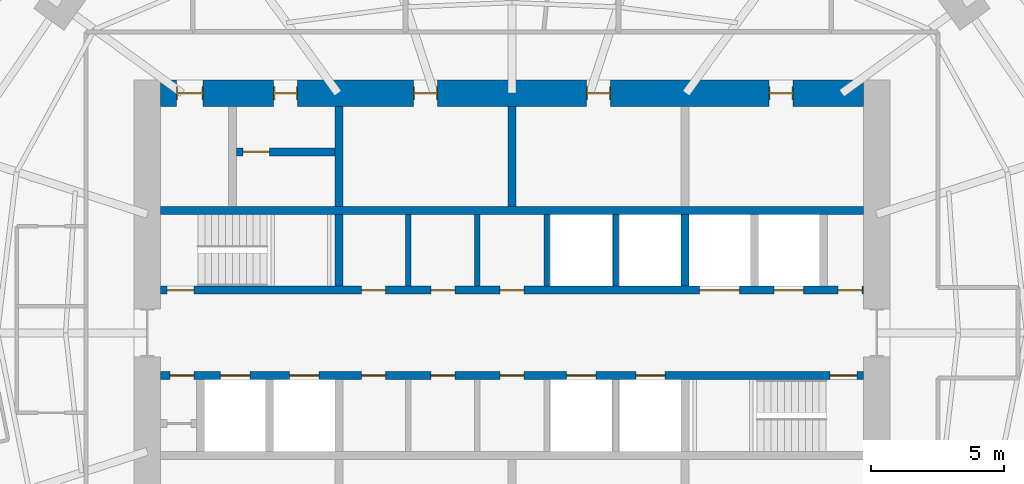
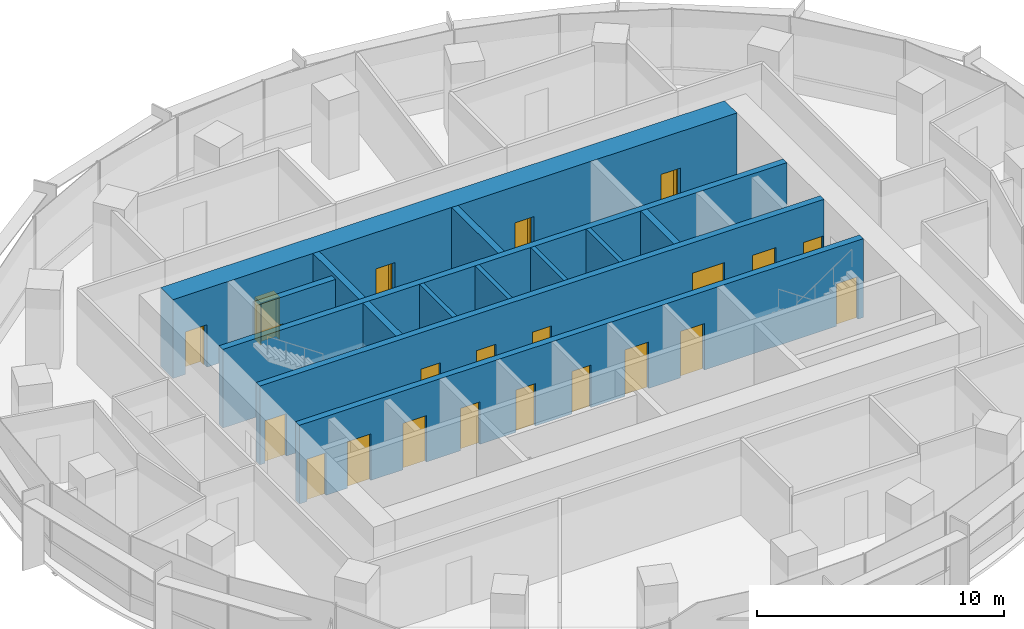
# One storey, part 11 of 14: 22 doors, 13 walls, 22 openings.
"""IFC4 building model written with IfcOpenShell, lengths in metres."""

import ifcopenshell
import ifcopenshell.guid

model = None  # the IFC model being written
_history = None  # IfcOwnerHistory: only IFC2X3 demands one
_inside = {}  # id of a spatial element -> (the spatial element, [elements in it])
_under = {}  # id of a project, library or spatial element -> (it, [spatial elements below it])
_declared = {}  # id of a project -> (the project, [libraries it declares])
_typed = {}  # id of a type object -> (the type object, [elements of that type])
_made_of = {}  # id of a material, layer set ... -> (it, [elements and type objects made of it])


def new_model(schema):
    """Start an empty IFC model of exactly this schema.

    Asked for "IFC4X3", IfcOpenShell would pick the latest addendum, in which some entities
    have other attributes; the version numbers below select the first issue.
    IFC2X3 requires an IfcOwnerHistory on every rooted entity: one is made here for all.
    """
    global model, _history
    if schema == "IFC4X3":
        model = ifcopenshell.file(schema_version=(4, 3, 0, 0))
    else:
        model = ifcopenshell.file(schema=schema)
    _inside.clear()
    _under.clear()
    _declared.clear()
    _typed.clear()
    _made_of.clear()
    _history = None
    if model.schema == "IFC2X3":
        org = make("IfcOrganization", Name="unknown")
        user = make(
            "IfcPersonAndOrganization",
            ThePerson=make("IfcPerson", FamilyName="unknown"),
            TheOrganization=org,
        )
        app = make(
            "IfcApplication",
            ApplicationDeveloper=org,
            Version="unknown",
            ApplicationFullName="unknown",
            ApplicationIdentifier="unknown",
        )
        _history = make(
            "IfcOwnerHistory",
            OwningUser=user,
            OwningApplication=app,
            ChangeAction="ADDED",
            CreationDate=0,
        )
    return model


def make(cls, **values):
    """One entity of the class cls with the attributes given. An attribute that is None is left unset."""
    return model.create_entity(
        cls, **{name: value for name, value in values.items() if value is not None}
    )


def rooted(cls, **values):
    """An entity with a GlobalId (a new one), such as an element, a storey or a relation."""
    return make(cls, GlobalId=ifcopenshell.guid.new(), OwnerHistory=_history, **values)


def si_unit(unit_type, name, prefix=None):
    """IfcSIUnit, for example si_unit("LENGTHUNIT", "METRE", prefix="MILLI")."""
    return make("IfcSIUnit", UnitType=unit_type, Prefix=prefix, Name=name)


def assignment(units):
    """IfcUnitAssignment: the units of a project."""
    return None if units is None else make("IfcUnitAssignment", Units=units)


def point(xyz):
    """IfcCartesianPoint."""
    return None if xyz is None else make("IfcCartesianPoint", Coordinates=xyz)


def direction(xyz):
    """IfcDirection."""
    return None if xyz is None else make("IfcDirection", DirectionRatios=xyz)


def frame(location, z_axis=None, x_axis=None):
    """IfcAxis2Placement3D, a coordinate frame: its origin and axes. An axis left out is left unset."""
    return make(
        "IfcAxis2Placement3D",
        Location=point(location),
        Axis=direction(z_axis),
        RefDirection=direction(x_axis),
    )


def frame_2d(location, x_axis=None):
    """IfcAxis2Placement2D, a coordinate frame in the plane: its origin and x axis."""
    return make(
        "IfcAxis2Placement2D", Location=point(location), RefDirection=direction(x_axis)
    )


def origin():
    """The frame at (0, 0, 0) with its axes left unset."""
    return frame((0.0, 0.0, 0.0))


def place(relative_to, where):
    """IfcLocalPlacement: puts the frame where relative to a parent placement (None: the world)."""
    return make(
        "IfcLocalPlacement", PlacementRelTo=relative_to, RelativePlacement=where
    )


def context(
    kind, dimensions, precision=None, world=None, true_north=None, identifier=None
):
    """IfcGeometricRepresentationContext, for example the 3D "Model" context."""
    return make(
        "IfcGeometricRepresentationContext",
        ContextIdentifier=identifier,
        ContextType=kind,
        CoordinateSpaceDimension=dimensions,
        Precision=precision,
        WorldCoordinateSystem=world,
        TrueNorth=true_north,
    )


def subcontext(parent, identifier, kind, view, scale=None):
    """IfcGeometricRepresentationSubContext, for example "Body" below "Model"."""
    return make(
        "IfcGeometricRepresentationSubContext",
        ContextIdentifier=identifier,
        ContextType=kind,
        ParentContext=parent,
        TargetScale=scale,
        TargetView=view,
    )


def project(units=None, contexts=None):
    """IfcProject with its units and contexts."""
    return rooted(
        "IfcProject",
        Name="project",
        RepresentationContexts=contexts,
        UnitsInContext=assignment(units),
    )


def spatial(cls, under=None, at=None, **own):
    """A site, building, storey or space (cls), placed at a placement, below another one or the project."""
    s = rooted(cls, ObjectPlacement=at, **own)
    if under is not None:
        _under.setdefault(under.id(), (under, []))[1].append(s)
    return s


def profile(cls, at=None, kind="AREA", **sizes):
    """A parametric profile (cls). Its sizes go by their IFC names, for example OverallWidth=200.0."""
    return make(cls, ProfileType=kind, Position=at, **sizes)


def rectangle(**sizes):
    """IfcRectangleProfileDef."""
    return profile("IfcRectangleProfileDef", **sizes)


def extrude(swept, where, along, depth):
    """IfcExtrudedAreaSolid: the profile swept, set in the frame where, extruded along a direction by depth."""
    return make(
        "IfcExtrudedAreaSolid",
        SweptArea=swept,
        Position=where,
        ExtrudedDirection=direction(along),
        Depth=depth,
    )


def shape(context_of_items, identifier, shape_type, items):
    """IfcShapeRepresentation: the items that make up one representation, for example the "Body"."""
    return make(
        "IfcShapeRepresentation",
        ContextOfItems=context_of_items,
        RepresentationIdentifier=identifier,
        RepresentationType=shape_type,
        Items=items,
    )


def material(Name=None, Category=None):
    """IfcMaterial."""
    return make("IfcMaterial", Name=Name, Category=Category)


def layer(
    of_material, thickness, ventilated=None, Name=None, Category=None, Priority=None
):
    """IfcMaterialLayer: one layer of a wall or slab, of a material (None: an air gap)."""
    return make(
        "IfcMaterialLayer",
        Material=of_material,
        LayerThickness=thickness,
        IsVentilated=ventilated,
        Name=Name,
        Category=Category,
        Priority=Priority,
    )


def layer_set(layers, Name=None):
    """IfcMaterialLayerSet."""
    return make("IfcMaterialLayerSet", MaterialLayers=layers, LayerSetName=Name)


def made_of(thing, what):
    """Note that an element or type object is made of a material, layer set ...; save() writes the relation."""
    if what is not None:
        _made_of.setdefault(what.id(), (what, []))[1].append(thing)
    return thing


def type_object(cls, material=None, **own):
    """A type object (cls), such as IfcWallType, which elements share."""
    return made_of(rooted(cls, **own), material)


def element(
    cls,
    number,
    at=None,
    inside=None,
    cuts=None,
    type_object=None,
    material=None,
    context=None,
    identifier="Body",
    shape_type=None,
    held_by="IfcProductDefinitionShape",
    body=None,
    shapes=None,
    **own,
):
    """One element of the class cls, such as IfcWall. Its Tag is "e" and its number.

    at: its placement. inside: the storey or other place that contains it. cuts: it is an
    opening in that element (IfcRelVoidsElement). A single representation is given by context,
    identifier, shape_type and body (its items); several are given by shapes. held_by: the class
    of the entity that holds the representations. save() writes the other relations.
    """
    e = rooted(cls, Tag="e%d" % number, ObjectPlacement=at, **own)
    if body is not None:
        shapes = [shape(context, identifier, shape_type, body)]
    if shapes is not None:
        e.Representation = make(held_by, Representations=shapes)
    if inside is not None:
        _inside.setdefault(inside.id(), (inside, []))[1].append(e)
    if cuts is not None:
        rooted(
            "IfcRelVoidsElement", RelatingBuildingElement=cuts, RelatedOpeningElement=e
        )
    if type_object is not None:
        _typed.setdefault(type_object.id(), (type_object, []))[1].append(e)
    return made_of(e, material)


def fill(opening, filler):
    """IfcRelFillsElement: the door or window that sits in an opening."""
    return rooted(
        "IfcRelFillsElement",
        RelatingOpeningElement=opening,
        RelatedBuildingElement=filler,
    )


def aggregate(whole, parts):
    """IfcRelAggregates: a whole, such as a stair, and the parts it consists of."""
    return rooted("IfcRelAggregates", RelatingObject=whole, RelatedObjects=parts)


def save(model, path):
    """Write the relations noted so far, then the file.

    IfcRelAggregates (storeys below a building ...), IfcRelContainedInSpatialStructure (elements
    in a storey), IfcRelDefinesByType, IfcRelAssociatesMaterial and IfcRelDeclares: one each for
    every whole, place, type object, material and project.
    """
    for whole, parts in _under.values():
        aggregate(whole, parts)
    for where, things in _inside.values():
        rooted(
            "IfcRelContainedInSpatialStructure",
            RelatedElements=things,
            RelatingStructure=where,
        )
    for kind, things in _typed.values():
        rooted("IfcRelDefinesByType", RelatedObjects=things, RelatingType=kind)
    for what, things in _made_of.values():
        rooted("IfcRelAssociatesMaterial", RelatedObjects=things, RelatingMaterial=what)
    for by, libraries in _declared.values():
        rooted("IfcRelDeclares", RelatingContext=by, RelatedDefinitions=libraries)
    model.write(path)


model = new_model("IFC4")

# Units and contexts
model_context = context("Model", 3, precision=1e-05, world=origin(), true_north=direction((0.0, 1.0)))
body_context = subcontext(model_context, "Body", "Model", "MODEL_VIEW")
ifc_project = project(units=[si_unit("LENGTHUNIT", "METRE"), si_unit("AREAUNIT", "SQUARE_METRE"), si_unit("VOLUMEUNIT", "CUBIC_METRE"), si_unit("PLANEANGLEUNIT", "RADIAN"), si_unit("MASSUNIT", "GRAM", prefix="KILO")], contexts=[model_context])

# Site, building, storey
site_placement = place(None, origin())
site = spatial("IfcSite", under=ifc_project, at=site_placement, CompositionType="ELEMENT")
building_placement = place(site_placement, origin())
building = spatial("IfcBuilding", under=site, at=building_placement, Name="Marramba Exchange Tower", CompositionType="ELEMENT")
storey_placement = place(building_placement, frame((0.0, 0.0, 183.800048828125)))
storey = spatial("IfcBuildingStorey", under=building, at=storey_placement, Name="L44", CompositionType="ELEMENT", Elevation=183.800048828125)

# Walls
ifc_material_1 = material(Name="Concrete N50", Category="concrete")
ifc_layer_1 = layer(ifc_material_1, 0.199951171875)
ifc_layer_set_1 = layer_set([ifc_layer_1], Name="Core shaft wall 200")
wall_type_1 = type_object("IfcWallType", Name="Core shaft wall 200", PredefinedType="SHEAR", material=ifc_layer_set_1)
for number, where, z_axis, x_axis, name in (
    (1, (-3.89990234375, 1.75, 0.0), (0.0, 0.0, 1.0), (0.0, 1.0, 0.0), "Core wall SHN1 L44"),
    (2, (-1.300048828125, 1.75, 0.0), (0.0, 0.0, 1.0), (0.0, 1.0, 0.0), "Core wall SHN2 L44"),
    (3, (1.300048828125, 1.75, 0.0), (0.0, 0.0, 1.0), (0.0, 1.0, 0.0), "Core wall SHN3 L44"),
    (4, (3.89990234375, 1.75, 0.0), (0.0, 0.0, 1.0), (0.0, 1.0, 0.0), "Core wall SHN4 L44"),
):
    element("IfcWall", number, at=place(storey_placement, frame(where, z_axis=z_axis, x_axis=x_axis)), inside=storey, type_object=wall_type_1, Name=name, PredefinedType="SHEAR", context=body_context, shape_type="SweptSolid", body=[
        extrude(rectangle(XDim=2.699951171875, YDim=0.199951171875, at=frame_2d((1.35009765625, 0.0))), origin(), (0.0, 0.0, 1.0), 3.89990234375),
    ])

# Wall, openings, doors
ifc_layer_2 = layer(ifc_material_1, 1.0)
ifc_layer_set_2 = layer_set([ifc_layer_2], Name="Core wall 1000")
wall_type_2 = type_object("IfcWallType", Name="Core wall 1000", PredefinedType="SHEAR", material=ifc_layer_set_2)
wall_1_placement = place(storey_placement, frame((13.199951171875, 9.0, 0.0), z_axis=(0.0, 0.0, 1.0), x_axis=(-1.0, 0.0, 0.0)))
wall_1 = element("IfcWall", 5, at=wall_1_placement, inside=storey, type_object=wall_type_2, Name="Core wall N L44", PredefinedType="SHEAR", context=body_context, shape_type="SweptSolid", body=[
    extrude(rectangle(XDim=26.39990234375, YDim=1.0, at=frame_2d((13.199951171875, 0.0))), origin(), (0.0, 0.0, 1.0), 3.89990234375),
])
opening_1_placement = place(wall_1_placement, frame((2.64990234375, 0.0, 0.0)))
opening_1 = element("IfcOpeningElement", 6, at=opening_1_placement, cuts=wall_1, Name="Opening D5", PredefinedType="OPENING", context=body_context, shape_type="SweptSolid", body=[
    extrude(rectangle(XDim=0.89990234375, YDim=2.10009765625, at=frame_2d((0.449951171875, 1.050048828125))), frame((0.0, 0.510009765625, 0.0), z_axis=(0.0, -1.0, 0.0), x_axis=(1.0, 0.0, 0.0)), (0.0, 0.0, 1.0), 1.02001953125),
])
opening_2_placement = place(wall_1_placement, frame((9.5, 0.0, 0.0)))
opening_2 = element("IfcOpeningElement", 7, at=opening_2_placement, cuts=wall_1, Name="Opening D3", PredefinedType="OPENING", context=body_context, shape_type="SweptSolid", body=[
    extrude(rectangle(XDim=0.89990234375, YDim=2.10009765625, at=frame_2d((0.449951171875, 1.050048828125))), frame((0.0, 0.510009765625, 0.0), z_axis=(0.0, -1.0, 0.0), x_axis=(1.0, 0.0, 0.0)), (0.0, 0.0, 1.0), 1.02001953125),
])
opening_3_placement = place(wall_1_placement, frame((16.0, 0.0, 0.0)))
opening_3 = element("IfcOpeningElement", 8, at=opening_3_placement, cuts=wall_1, Name="Opening D3", PredefinedType="OPENING", context=body_context, shape_type="SweptSolid", body=[
    extrude(rectangle(XDim=0.89990234375, YDim=2.10009765625, at=frame_2d((0.449951171875, 1.050048828125))), frame((0.0, 0.510009765625, 0.0), z_axis=(0.0, -1.0, 0.0), x_axis=(1.0, 0.0, 0.0)), (0.0, 0.0, 1.0), 1.02001953125),
])
opening_4_placement = place(wall_1_placement, frame((21.25, 0.0, 0.0)))
opening_4 = element("IfcOpeningElement", 9, at=opening_4_placement, cuts=wall_1, Name="Opening D5", PredefinedType="OPENING", context=body_context, shape_type="SweptSolid", body=[
    extrude(rectangle(XDim=0.89990234375, YDim=2.10009765625, at=frame_2d((0.449951171875, 1.050048828125))), frame((0.0, 0.510009765625, 0.0), z_axis=(0.0, -1.0, 0.0), x_axis=(1.0, 0.0, 0.0)), (0.0, 0.0, 1.0), 1.02001953125),
])
opening_5_placement = place(wall_1_placement, frame((24.800048828125, 0.0, 0.0)))
opening_5 = element("IfcOpeningElement", 10, at=opening_5_placement, cuts=wall_1, Name="Opening D4", PredefinedType="OPENING", context=body_context, shape_type="SweptSolid", body=[
    extrude(rectangle(XDim=1.0, YDim=2.10009765625, at=frame_2d((0.5, 1.050048828125))), frame((0.0, 0.510009765625, 0.0), z_axis=(0.0, -1.0, 0.0), x_axis=(1.0, 0.0, 0.0)), (0.0, 0.0, 1.0), 1.02001953125),
])
ifc_material_2 = material(Name="Steel-framed door", Category="steel")
door_type_1 = type_object("IfcDoorType", Name="Accessible toilet door 1000x2100", OperationType="SINGLE_SWING_LEFT", PredefinedType="DOOR", material=ifc_material_2)
door_1_placement = place(opening_5_placement, origin())
door_1 = element("IfcDoor", 11, at=door_1_placement, inside=storey, type_object=door_type_1, Name="D4 awc L44", OperationType="SINGLE_SWING_RIGHT", OverallHeight=2.10009765625, OverallWidth=1.0, PredefinedType="DOOR", context=body_context, shape_type="SweptSolid", body=[
    extrude(rectangle(XDim=0.919921875, YDim=2.06005859375, at=frame_2d((0.5, 1.030029296875))), frame((0.0, 0.02490234375, 0.0), z_axis=(0.0, -1.0, 0.0), x_axis=(1.0, 0.0, 0.0)), (0.0, 0.0, 1.0), 0.050048828125),
    extrude(rectangle(XDim=0.04, YDim=2.10009765625, at=frame_2d((0.02001953125, 1.050048828125))), frame((0.0, 0.25, 0.0), z_axis=(0.0, -1.0, 0.0), x_axis=(1.0, 0.0, 0.0)), (0.0, 0.0, 1.0), 0.5),
    extrude(rectangle(XDim=0.04, YDim=2.10009765625, at=frame_2d((0.97998046875, 1.050048828125))), frame((0.0, 0.25, 0.0), z_axis=(0.0, -1.0, 0.0), x_axis=(1.0, 0.0, 0.0)), (0.0, 0.0, 1.0), 0.5),
    extrude(rectangle(XDim=0.919921875, YDim=0.04, at=frame_2d((0.5, 2.080078125))), frame((0.0, 0.25, 0.0), z_axis=(0.0, -1.0, 0.0), x_axis=(1.0, 0.0, 0.0)), (0.0, 0.0, 1.0), 0.5),
])
fill(opening_5, door_1)
door_type_2 = type_object("IfcDoorType", Name="Service door 900x2100", OperationType="SINGLE_SWING_LEFT", PredefinedType="DOOR", material=ifc_material_2)
door_2_placement = place(opening_1_placement, origin())
door_2 = element("IfcDoor", 12, at=door_2_placement, inside=storey, type_object=door_type_2, Name="D5 comms L44", OperationType="SINGLE_SWING_LEFT", OverallHeight=2.10009765625, OverallWidth=0.89990234375, PredefinedType="DOOR", context=body_context, shape_type="SweptSolid", body=[
    extrude(rectangle(XDim=0.81982421875, YDim=2.06005859375, at=frame_2d((0.449951171875, 1.030029296875))), frame((0.0, 0.02490234375, 0.0), z_axis=(0.0, -1.0, 0.0), x_axis=(1.0, 0.0, 0.0)), (0.0, 0.0, 1.0), 0.050048828125),
    extrude(rectangle(XDim=0.04, YDim=2.10009765625, at=frame_2d((0.02001953125, 1.050048828125))), frame((0.0, 0.25, 0.0), z_axis=(0.0, -1.0, 0.0), x_axis=(1.0, 0.0, 0.0)), (0.0, 0.0, 1.0), 0.5),
    extrude(rectangle(XDim=0.04, YDim=2.10009765625, at=frame_2d((0.8798828125, 1.050048828125))), frame((0.0, 0.25, 0.0), z_axis=(0.0, -1.0, 0.0), x_axis=(1.0, 0.0, 0.0)), (0.0, 0.0, 1.0), 0.5),
    extrude(rectangle(XDim=0.81982421875, YDim=0.04, at=frame_2d((0.449951171875, 2.080078125))), frame((0.0, 0.25, 0.0), z_axis=(0.0, -1.0, 0.0), x_axis=(1.0, 0.0, 0.0)), (0.0, 0.0, 1.0), 0.5),
])
fill(opening_1, door_2)
door_3_placement = place(opening_4_placement, origin())
door_3 = element("IfcDoor", 13, at=door_3_placement, inside=storey, type_object=door_type_2, Name="D5 cleaner L44", OperationType="SINGLE_SWING_RIGHT", OverallHeight=2.10009765625, OverallWidth=0.89990234375, PredefinedType="DOOR", context=body_context, shape_type="SweptSolid", body=[
    extrude(rectangle(XDim=0.81982421875, YDim=2.06005859375, at=frame_2d((0.449951171875, 1.030029296875))), frame((0.0, 0.02490234375, 0.0), z_axis=(0.0, -1.0, 0.0), x_axis=(1.0, 0.0, 0.0)), (0.0, 0.0, 1.0), 0.050048828125),
    extrude(rectangle(XDim=0.04, YDim=2.10009765625, at=frame_2d((0.02001953125, 1.050048828125))), frame((0.0, 0.25, 0.0), z_axis=(0.0, -1.0, 0.0), x_axis=(1.0, 0.0, 0.0)), (0.0, 0.0, 1.0), 0.5),
    extrude(rectangle(XDim=0.04, YDim=2.10009765625, at=frame_2d((0.8798828125, 1.050048828125))), frame((0.0, 0.25, 0.0), z_axis=(0.0, -1.0, 0.0), x_axis=(1.0, 0.0, 0.0)), (0.0, 0.0, 1.0), 0.5),
    extrude(rectangle(XDim=0.81982421875, YDim=0.04, at=frame_2d((0.449951171875, 2.080078125))), frame((0.0, 0.25, 0.0), z_axis=(0.0, -1.0, 0.0), x_axis=(1.0, 0.0, 0.0)), (0.0, 0.0, 1.0), 0.5),
])
fill(opening_4, door_3)
door_type_3 = type_object("IfcDoorType", Name="Toilet door 900x2100", OperationType="SINGLE_SWING_LEFT", PredefinedType="DOOR", material=ifc_material_2)
door_4_placement = place(opening_2_placement, origin())
door_4 = element("IfcDoor", 14, at=door_4_placement, inside=storey, type_object=door_type_3, Name="D3 wc-f L44", OperationType="SINGLE_SWING_RIGHT", OverallHeight=2.10009765625, OverallWidth=0.89990234375, PredefinedType="DOOR", context=body_context, shape_type="SweptSolid", body=[
    extrude(rectangle(XDim=0.81982421875, YDim=2.06005859375, at=frame_2d((0.449951171875, 1.030029296875))), frame((0.0, 0.02490234375, 0.0), z_axis=(0.0, -1.0, 0.0), x_axis=(1.0, 0.0, 0.0)), (0.0, 0.0, 1.0), 0.050048828125),
    extrude(rectangle(XDim=0.04, YDim=2.10009765625, at=frame_2d((0.02001953125, 1.050048828125))), frame((0.0, 0.25, 0.0), z_axis=(0.0, -1.0, 0.0), x_axis=(1.0, 0.0, 0.0)), (0.0, 0.0, 1.0), 0.5),
    extrude(rectangle(XDim=0.04, YDim=2.10009765625, at=frame_2d((0.8798828125, 1.050048828125))), frame((0.0, 0.25, 0.0), z_axis=(0.0, -1.0, 0.0), x_axis=(1.0, 0.0, 0.0)), (0.0, 0.0, 1.0), 0.5),
    extrude(rectangle(XDim=0.81982421875, YDim=0.04, at=frame_2d((0.449951171875, 2.080078125))), frame((0.0, 0.25, 0.0), z_axis=(0.0, -1.0, 0.0), x_axis=(1.0, 0.0, 0.0)), (0.0, 0.0, 1.0), 0.5),
])
fill(opening_2, door_4)
door_5_placement = place(opening_3_placement, origin())
door_5 = element("IfcDoor", 15, at=door_5_placement, inside=storey, type_object=door_type_3, Name="D3 wc-m L44", OperationType="SINGLE_SWING_RIGHT", OverallHeight=2.10009765625, OverallWidth=0.89990234375, PredefinedType="DOOR", context=body_context, shape_type="SweptSolid", body=[
    extrude(rectangle(XDim=0.81982421875, YDim=2.06005859375, at=frame_2d((0.449951171875, 1.030029296875))), frame((0.0, 0.02490234375, 0.0), z_axis=(0.0, -1.0, 0.0), x_axis=(1.0, 0.0, 0.0)), (0.0, 0.0, 1.0), 0.050048828125),
    extrude(rectangle(XDim=0.04, YDim=2.10009765625, at=frame_2d((0.02001953125, 1.050048828125))), frame((0.0, 0.25, 0.0), z_axis=(0.0, -1.0, 0.0), x_axis=(1.0, 0.0, 0.0)), (0.0, 0.0, 1.0), 0.5),
    extrude(rectangle(XDim=0.04, YDim=2.10009765625, at=frame_2d((0.8798828125, 1.050048828125))), frame((0.0, 0.25, 0.0), z_axis=(0.0, -1.0, 0.0), x_axis=(1.0, 0.0, 0.0)), (0.0, 0.0, 1.0), 0.5),
    extrude(rectangle(XDim=0.81982421875, YDim=0.04, at=frame_2d((0.449951171875, 2.080078125))), frame((0.0, 0.25, 0.0), z_axis=(0.0, -1.0, 0.0), x_axis=(1.0, 0.0, 0.0)), (0.0, 0.0, 1.0), 0.5),
])
fill(opening_3, door_5)

ifc_layer_3 = layer(ifc_material_1, 0.300048828125)
ifc_layer_set_3 = layer_set([ifc_layer_3], Name="Core wall 300")
wall_type_3 = type_object("IfcWallType", Name="Core wall 300", PredefinedType="SHEAR", material=ifc_layer_set_3)
wall_2_placement = place(storey_placement, frame((-13.199951171875, 1.60009765625, 0.0), z_axis=(0.0, 0.0, 1.0), x_axis=(1.0, 0.0, 0.0)))
wall_2 = element("IfcWall", 16, at=wall_2_placement, inside=storey, type_object=wall_type_3, Name="Core wall LN L44", PredefinedType="SHEAR", context=body_context, shape_type="SweptSolid", body=[
    extrude(rectangle(XDim=26.39990234375, YDim=0.300048828125, at=frame_2d((13.199951171875, 0.0))), origin(), (0.0, 0.0, 1.0), 3.89990234375),
])
opening_6_placement = place(wall_2_placement, frame((0.25, 0.0, 0.0)))
opening_6 = element("IfcOpeningElement", 17, at=opening_6_placement, cuts=wall_2, Name="Opening D2", PredefinedType="OPENING", context=body_context, shape_type="SweptSolid", body=[
    extrude(rectangle(XDim=1.0, YDim=2.10009765625, at=frame_2d((0.5, 1.050048828125))), frame((0.0, 0.159912109375, 0.0), z_axis=(0.0, -1.0, 0.0), x_axis=(1.0, 0.0, 0.0)), (0.0, 0.0, 1.0), 0.320068359375),
])
opening_7_placement = place(wall_2_placement, frame((23.050048828125, 0.0, 0.0)))
opening_7 = element("IfcOpeningElement", 18, at=opening_7_placement, cuts=wall_2, Name="Opening LD1", PredefinedType="OPENING", context=body_context, shape_type="SweptSolid", body=[
    extrude(rectangle(XDim=1.10009765625, YDim=2.300048828125, at=frame_2d((0.550048828125, 1.14990234375))), frame((0.0, 0.159912109375, 0.0), z_axis=(0.0, -1.0, 0.0), x_axis=(1.0, 0.0, 0.0)), (0.0, 0.0, 1.0), 0.320068359375),
])
opening_8_placement = place(wall_2_placement, frame((20.25, 0.0, 0.0)))
opening_8 = element("IfcOpeningElement", 19, at=opening_8_placement, cuts=wall_2, Name="Opening LD3", PredefinedType="OPENING", context=body_context, shape_type="SweptSolid", body=[
    extrude(rectangle(XDim=1.5, YDim=2.39990234375, at=frame_2d((0.75, 1.199951171875))), frame((0.0, 0.159912109375, 0.0), z_axis=(0.0, -1.0, 0.0), x_axis=(1.0, 0.0, 0.0)), (0.0, 0.0, 1.0), 0.320068359375),
])
opening_9_placement = place(wall_2_placement, frame((7.550048828125, 0.0, 0.0)))
opening_9 = element("IfcOpeningElement", 20, at=opening_9_placement, cuts=wall_2, Name="Opening D5", PredefinedType="OPENING", context=body_context, shape_type="SweptSolid", body=[
    extrude(rectangle(XDim=0.89990234375, YDim=2.10009765625, at=frame_2d((0.449951171875, 1.050048828125))), frame((0.0, 0.159912109375, 0.0), z_axis=(0.0, -1.0, 0.0), x_axis=(1.0, 0.0, 0.0)), (0.0, 0.0, 1.0), 0.320068359375),
])
opening_10_placement = place(wall_2_placement, frame((10.14990234375, 0.0, 0.0)))
opening_10 = element("IfcOpeningElement", 21, at=opening_10_placement, cuts=wall_2, Name="Opening D5", PredefinedType="OPENING", context=body_context, shape_type="SweptSolid", body=[
    extrude(rectangle(XDim=0.89990234375, YDim=2.10009765625, at=frame_2d((0.449951171875, 1.050048828125))), frame((0.0, 0.159912109375, 0.0), z_axis=(0.0, -1.0, 0.0), x_axis=(1.0, 0.0, 0.0)), (0.0, 0.0, 1.0), 0.320068359375),
])
opening_11_placement = place(wall_2_placement, frame((12.75, 0.0, 0.0)))
opening_11 = element("IfcOpeningElement", 22, at=opening_11_placement, cuts=wall_2, Name="Opening D5", PredefinedType="OPENING", context=body_context, shape_type="SweptSolid", body=[
    extrude(rectangle(XDim=0.89990234375, YDim=2.10009765625, at=frame_2d((0.449951171875, 1.050048828125))), frame((0.0, 0.159912109375, 0.0), z_axis=(0.0, -1.0, 0.0), x_axis=(1.0, 0.0, 0.0)), (0.0, 0.0, 1.0), 0.320068359375),
])
opening_12_placement = place(wall_2_placement, frame((25.449951171875, 0.0, 0.0)))
opening_12 = element("IfcOpeningElement", 23, at=opening_12_placement, cuts=wall_2, Name="Opening D5", PredefinedType="OPENING", context=body_context, shape_type="SweptSolid", body=[
    extrude(rectangle(XDim=0.89990234375, YDim=2.10009765625, at=frame_2d((0.449951171875, 1.050048828125))), frame((0.0, 0.159912109375, 0.0), z_axis=(0.0, -1.0, 0.0), x_axis=(1.0, 0.0, 0.0)), (0.0, 0.0, 1.0), 0.320068359375),
])
door_type_4 = type_object("IfcDoorType", Name="Goods lift landing door 1500x2400", OperationType="SLIDING_TO_LEFT", PredefinedType="DOOR", material=ifc_material_2)
door_6_placement = place(opening_8_placement, origin())
door_6 = element("IfcDoor", 24, at=door_6_placement, inside=storey, type_object=door_type_4, Name="GL1 landing door L44", OperationType="SLIDING_TO_LEFT", OverallHeight=2.39990234375, OverallWidth=1.5, PredefinedType="DOOR", context=body_context, shape_type="SweptSolid", body=[
    extrude(rectangle(XDim=1.5, YDim=2.39990234375, at=frame_2d((0.75, 1.199951171875))), frame((0.0, 0.02490234375, 0.0), z_axis=(0.0, -1.0, 0.0), x_axis=(1.0, 0.0, 0.0)), (0.0, 0.0, 1.0), 0.050048828125),
])
fill(opening_8, door_6)
door_type_5 = type_object("IfcDoorType", Name="Lift landing door 1100x2300", OperationType="SLIDING_TO_LEFT", PredefinedType="DOOR", material=ifc_material_2)
door_7_placement = place(opening_7_placement, origin())
door_7 = element("IfcDoor", 25, at=door_7_placement, inside=storey, type_object=door_type_5, Name="LC3 landing door L44", OperationType="SLIDING_TO_LEFT", OverallHeight=2.300048828125, OverallWidth=1.10009765625, PredefinedType="DOOR", context=body_context, shape_type="SweptSolid", body=[
    extrude(rectangle(XDim=1.10009765625, YDim=2.300048828125, at=frame_2d((0.550048828125, 1.14990234375))), frame((0.0, 0.02490234375, 0.0), z_axis=(0.0, -1.0, 0.0), x_axis=(1.0, 0.0, 0.0)), (0.0, 0.0, 1.0), 0.050048828125),
])
fill(opening_7, door_7)
door_8_placement = place(opening_9_placement, origin())
door_8 = element("IfcDoor", 26, at=door_8_placement, inside=storey, type_object=door_type_2, Name="D5 stationery store L44", OperationType="SINGLE_SWING_RIGHT", OverallHeight=2.10009765625, OverallWidth=0.89990234375, PredefinedType="DOOR", context=body_context, shape_type="SweptSolid", body=[
    extrude(rectangle(XDim=0.89990234375, YDim=2.10009765625, at=frame_2d((0.449951171875, 1.050048828125))), frame((0.0, 0.02490234375, 0.0), z_axis=(0.0, -1.0, 0.0), x_axis=(1.0, 0.0, 0.0)), (0.0, 0.0, 1.0), 0.050048828125),
])
fill(opening_9, door_8)
door_9_placement = place(opening_10_placement, origin())
door_9 = element("IfcDoor", 27, at=door_9_placement, inside=storey, type_object=door_type_2, Name="D5 switch room L44", OperationType="SINGLE_SWING_RIGHT", OverallHeight=2.10009765625, OverallWidth=0.89990234375, PredefinedType="DOOR", context=body_context, shape_type="SweptSolid", body=[
    extrude(rectangle(XDim=0.89990234375, YDim=2.10009765625, at=frame_2d((0.449951171875, 1.050048828125))), frame((0.0, 0.02490234375, 0.0), z_axis=(0.0, -1.0, 0.0), x_axis=(1.0, 0.0, 0.0)), (0.0, 0.0, 1.0), 0.050048828125),
])
fill(opening_10, door_9)
door_10_placement = place(opening_11_placement, origin())
door_10 = element("IfcDoor", 28, at=door_10_placement, inside=storey, type_object=door_type_2, Name="D5 cleaner store L44", OperationType="SINGLE_SWING_RIGHT", OverallHeight=2.10009765625, OverallWidth=0.89990234375, PredefinedType="DOOR", context=body_context, shape_type="SweptSolid", body=[
    extrude(rectangle(XDim=0.89990234375, YDim=2.10009765625, at=frame_2d((0.449951171875, 1.050048828125))), frame((0.0, 0.02490234375, 0.0), z_axis=(0.0, -1.0, 0.0), x_axis=(1.0, 0.0, 0.0)), (0.0, 0.0, 1.0), 0.050048828125),
])
fill(opening_11, door_10)
door_11_placement = place(opening_12_placement, origin())
door_11 = element("IfcDoor", 29, at=door_11_placement, inside=storey, type_object=door_type_2, Name="D5 riser L44", OperationType="SINGLE_SWING_RIGHT", OverallHeight=2.10009765625, OverallWidth=0.89990234375, PredefinedType="DOOR", context=body_context, shape_type="SweptSolid", body=[
    extrude(rectangle(XDim=0.89990234375, YDim=2.10009765625, at=frame_2d((0.449951171875, 1.050048828125))), frame((0.0, 0.02490234375, 0.0), z_axis=(0.0, -1.0, 0.0), x_axis=(1.0, 0.0, 0.0)), (0.0, 0.0, 1.0), 0.050048828125),
])
fill(opening_12, door_11)
door_type_6 = type_object("IfcDoorType", Name="Stair door 1000x2100", OperationType="SINGLE_SWING_LEFT", PredefinedType="DOOR", material=ifc_material_2)
door_12_placement = place(opening_6_placement, origin())
door_12 = element("IfcDoor", 30, at=door_12_placement, inside=storey, type_object=door_type_6, Name="D2 stair ST1 L44", OperationType="SINGLE_SWING_LEFT", OverallHeight=2.10009765625, OverallWidth=1.0, PredefinedType="DOOR", context=body_context, shape_type="SweptSolid", body=[
    extrude(rectangle(XDim=1.0, YDim=2.10009765625, at=frame_2d((0.5, 1.050048828125))), frame((0.0, 0.02490234375, 0.0), z_axis=(0.0, -1.0, 0.0), x_axis=(1.0, 0.0, 0.0)), (0.0, 0.0, 1.0), 0.050048828125),
])
fill(opening_6, door_12)

wall_3_placement = place(storey_placement, frame((-13.199951171875, -1.60009765625, 0.0), z_axis=(0.0, 0.0, 1.0), x_axis=(1.0, 0.0, 0.0)))
wall_3 = element("IfcWall", 31, at=wall_3_placement, inside=storey, type_object=wall_type_3, Name="Core wall LS L44", PredefinedType="SHEAR", context=body_context, shape_type="SweptSolid", body=[
    extrude(rectangle(XDim=26.39990234375, YDim=0.300048828125, at=frame_2d((13.199951171875, 0.0))), origin(), (0.0, 0.0, 1.0), 3.89990234375),
])
opening_13_placement = place(wall_3_placement, frame((25.14990234375, 0.0, 0.0)))
opening_13 = element("IfcOpeningElement", 32, at=opening_13_placement, cuts=wall_3, Name="Opening D2", PredefinedType="OPENING", context=body_context, shape_type="SweptSolid", body=[
    extrude(rectangle(XDim=1.0, YDim=2.10009765625, at=frame_2d((0.5, 1.050048828125))), frame((0.0, 0.159912109375, 0.0), z_axis=(0.0, -1.0, 0.0), x_axis=(1.0, 0.0, 0.0)), (0.0, 0.0, 1.0), 0.320068359375),
])
opening_14_placement = place(wall_3_placement, frame((7.550048828125, 0.0, 0.0)))
opening_14 = element("IfcOpeningElement", 33, at=opening_14_placement, cuts=wall_3, Name="Opening D5", PredefinedType="OPENING", context=body_context, shape_type="SweptSolid", body=[
    extrude(rectangle(XDim=0.89990234375, YDim=2.10009765625, at=frame_2d((0.449951171875, 1.050048828125))), frame((0.0, 0.159912109375, 0.0), z_axis=(0.0, -1.0, 0.0), x_axis=(1.0, 0.0, 0.0)), (0.0, 0.0, 1.0), 0.320068359375),
])
opening_15_placement = place(wall_3_placement, frame((10.14990234375, 0.0, 0.0)))
opening_15 = element("IfcOpeningElement", 34, at=opening_15_placement, cuts=wall_3, Name="Opening D5", PredefinedType="OPENING", context=body_context, shape_type="SweptSolid", body=[
    extrude(rectangle(XDim=0.89990234375, YDim=2.10009765625, at=frame_2d((0.449951171875, 1.050048828125))), frame((0.0, 0.159912109375, 0.0), z_axis=(0.0, -1.0, 0.0), x_axis=(1.0, 0.0, 0.0)), (0.0, 0.0, 1.0), 0.320068359375),
])
opening_16_placement = place(wall_3_placement, frame((12.75, 0.0, 0.0)))
opening_16 = element("IfcOpeningElement", 35, at=opening_16_placement, cuts=wall_3, Name="Opening D5", PredefinedType="OPENING", context=body_context, shape_type="SweptSolid", body=[
    extrude(rectangle(XDim=0.89990234375, YDim=2.10009765625, at=frame_2d((0.449951171875, 1.050048828125))), frame((0.0, 0.159912109375, 0.0), z_axis=(0.0, -1.0, 0.0), x_axis=(1.0, 0.0, 0.0)), (0.0, 0.0, 1.0), 0.320068359375),
])
opening_17_placement = place(wall_3_placement, frame((15.25, 0.0, 0.0)))
opening_17 = element("IfcOpeningElement", 36, at=opening_17_placement, cuts=wall_3, Name="Opening LD2", PredefinedType="OPENING", context=body_context, shape_type="SweptSolid", body=[
    extrude(rectangle(XDim=1.10009765625, YDim=2.300048828125, at=frame_2d((0.550048828125, 1.14990234375))), frame((0.0, 0.159912109375, 0.0), z_axis=(0.0, -1.0, 0.0), x_axis=(1.0, 0.0, 0.0)), (0.0, 0.0, 1.0), 0.320068359375),
])
opening_18_placement = place(wall_3_placement, frame((17.85009765625, 0.0, 0.0)))
opening_18 = element("IfcOpeningElement", 37, at=opening_18_placement, cuts=wall_3, Name="Opening LD2", PredefinedType="OPENING", context=body_context, shape_type="SweptSolid", body=[
    extrude(rectangle(XDim=1.10009765625, YDim=2.300048828125, at=frame_2d((0.550048828125, 1.14990234375))), frame((0.0, 0.159912109375, 0.0), z_axis=(0.0, -1.0, 0.0), x_axis=(1.0, 0.0, 0.0)), (0.0, 0.0, 1.0), 0.320068359375),
])
opening_19_placement = place(wall_3_placement, frame((4.85009765625, 0.0, 0.0)))
opening_19 = element("IfcOpeningElement", 38, at=opening_19_placement, cuts=wall_3, Name="Opening LD1", PredefinedType="OPENING", context=body_context, shape_type="SweptSolid", body=[
    extrude(rectangle(XDim=1.10009765625, YDim=2.300048828125, at=frame_2d((0.550048828125, 1.14990234375))), frame((0.0, 0.159912109375, 0.0), z_axis=(0.0, -1.0, 0.0), x_axis=(1.0, 0.0, 0.0)), (0.0, 0.0, 1.0), 0.320068359375),
])
opening_20_placement = place(wall_3_placement, frame((2.25, 0.0, 0.0)))
opening_20 = element("IfcOpeningElement", 39, at=opening_20_placement, cuts=wall_3, Name="Opening LD1", PredefinedType="OPENING", context=body_context, shape_type="SweptSolid", body=[
    extrude(rectangle(XDim=1.10009765625, YDim=2.300048828125, at=frame_2d((0.550048828125, 1.14990234375))), frame((0.0, 0.159912109375, 0.0), z_axis=(0.0, -1.0, 0.0), x_axis=(1.0, 0.0, 0.0)), (0.0, 0.0, 1.0), 0.320068359375),
])
opening_21_placement = place(wall_3_placement, frame((0.35009765625, 0.0, 0.0)))
opening_21 = element("IfcOpeningElement", 40, at=opening_21_placement, cuts=wall_3, Name="Opening D5", PredefinedType="OPENING", context=body_context, shape_type="SweptSolid", body=[
    extrude(rectangle(XDim=0.89990234375, YDim=2.10009765625, at=frame_2d((0.449951171875, 1.050048828125))), frame((0.0, 0.159912109375, 0.0), z_axis=(0.0, -1.0, 0.0), x_axis=(1.0, 0.0, 0.0)), (0.0, 0.0, 1.0), 0.320068359375),
])
door_type_7 = type_object("IfcDoorType", Name="Emergency lift landing door 1100x2300", OperationType="SLIDING_TO_LEFT", PredefinedType="DOOR", material=ifc_material_2)
door_13_placement = place(opening_17_placement, frame((1.10009765625, 0.0, 0.0), z_axis=(0.0, 0.0, 1.0), x_axis=(-1.0, 0.0, 0.0)))
door_13 = element("IfcDoor", 41, at=door_13_placement, inside=storey, type_object=door_type_7, Name="FL1 landing door L44", OperationType="SLIDING_TO_RIGHT", OverallHeight=2.300048828125, OverallWidth=1.10009765625, PredefinedType="DOOR", context=body_context, shape_type="SweptSolid", body=[
    extrude(rectangle(XDim=1.10009765625, YDim=2.300048828125, at=frame_2d((0.550048828125, 1.14990234375))), frame((0.0, 0.025146484375, 0.0), z_axis=(0.0, -1.0, 0.0), x_axis=(1.0, 0.0, 0.0)), (0.0, 0.0, 1.0), 0.050048828125),
])
fill(opening_17, door_13)
door_14_placement = place(opening_18_placement, frame((1.10009765625, 0.0, 0.0), z_axis=(0.0, 0.0, 1.0), x_axis=(-1.0, 0.0, 0.0)))
door_14 = element("IfcDoor", 42, at=door_14_placement, inside=storey, type_object=door_type_7, Name="FL2 landing door L44", OperationType="SLIDING_TO_LEFT", OverallHeight=2.300048828125, OverallWidth=1.10009765625, PredefinedType="DOOR", context=body_context, shape_type="SweptSolid", body=[
    extrude(rectangle(XDim=1.10009765625, YDim=2.300048828125, at=frame_2d((0.550048828125, 1.14990234375))), frame((0.0, 0.025146484375, 0.0), z_axis=(0.0, -1.0, 0.0), x_axis=(1.0, 0.0, 0.0)), (0.0, 0.0, 1.0), 0.050048828125),
])
fill(opening_18, door_14)
door_15_placement = place(opening_19_placement, frame((1.10009765625, 0.0, 0.0), z_axis=(0.0, 0.0, 1.0), x_axis=(-1.0, 0.0, 0.0)))
door_15 = element("IfcDoor", 43, at=door_15_placement, inside=storey, type_object=door_type_5, Name="LC1 landing door L44", OperationType="SLIDING_TO_LEFT", OverallHeight=2.300048828125, OverallWidth=1.10009765625, PredefinedType="DOOR", context=body_context, shape_type="SweptSolid", body=[
    extrude(rectangle(XDim=1.10009765625, YDim=2.300048828125, at=frame_2d((0.550048828125, 1.14990234375))), frame((0.0, 0.025146484375, 0.0), z_axis=(0.0, -1.0, 0.0), x_axis=(1.0, 0.0, 0.0)), (0.0, 0.0, 1.0), 0.050048828125),
])
fill(opening_19, door_15)
door_16_placement = place(opening_20_placement, frame((1.10009765625, 0.0, 0.0), z_axis=(0.0, 0.0, 1.0), x_axis=(-1.0, 0.0, 0.0)))
door_16 = element("IfcDoor", 44, at=door_16_placement, inside=storey, type_object=door_type_5, Name="LC2 landing door L44", OperationType="SLIDING_TO_LEFT", OverallHeight=2.300048828125, OverallWidth=1.10009765625, PredefinedType="DOOR", context=body_context, shape_type="SweptSolid", body=[
    extrude(rectangle(XDim=1.10009765625, YDim=2.300048828125, at=frame_2d((0.550048828125, 1.14990234375))), frame((0.0, 0.025146484375, 0.0), z_axis=(0.0, -1.0, 0.0), x_axis=(1.0, 0.0, 0.0)), (0.0, 0.0, 1.0), 0.050048828125),
])
fill(opening_20, door_16)
door_17_placement = place(opening_14_placement, frame((0.89990234375, 0.0, 0.0), z_axis=(0.0, 0.0, 1.0), x_axis=(-1.0, 0.0, 0.0)))
door_17 = element("IfcDoor", 45, at=door_17_placement, inside=storey, type_object=door_type_2, Name="D5 general store L44", OperationType="SINGLE_SWING_RIGHT", OverallHeight=2.10009765625, OverallWidth=0.89990234375, PredefinedType="DOOR", context=body_context, shape_type="SweptSolid", body=[
    extrude(rectangle(XDim=0.89990234375, YDim=2.10009765625, at=frame_2d((0.449951171875, 1.050048828125))), frame((0.0, 0.025146484375, 0.0), z_axis=(0.0, -1.0, 0.0), x_axis=(1.0, 0.0, 0.0)), (0.0, 0.0, 1.0), 0.050048828125),
])
fill(opening_14, door_17)
door_18_placement = place(opening_15_placement, frame((0.89990234375, 0.0, 0.0), z_axis=(0.0, 0.0, 1.0), x_axis=(-1.0, 0.0, 0.0)))
door_18 = element("IfcDoor", 46, at=door_18_placement, inside=storey, type_object=door_type_2, Name="D5 pantry n1 L44", OperationType="SINGLE_SWING_RIGHT", OverallHeight=2.10009765625, OverallWidth=0.89990234375, PredefinedType="DOOR", context=body_context, shape_type="SweptSolid", body=[
    extrude(rectangle(XDim=0.89990234375, YDim=2.10009765625, at=frame_2d((0.449951171875, 1.050048828125))), frame((0.0, 0.025146484375, 0.0), z_axis=(0.0, -1.0, 0.0), x_axis=(1.0, 0.0, 0.0)), (0.0, 0.0, 1.0), 0.050048828125),
])
fill(opening_15, door_18)
door_19_placement = place(opening_16_placement, frame((0.89990234375, 0.0, 0.0), z_axis=(0.0, 0.0, 1.0), x_axis=(-1.0, 0.0, 0.0)))
door_19 = element("IfcDoor", 47, at=door_19_placement, inside=storey, type_object=door_type_2, Name="D5 linen store n2 L44", OperationType="SINGLE_SWING_RIGHT", OverallHeight=2.10009765625, OverallWidth=0.89990234375, PredefinedType="DOOR", context=body_context, shape_type="SweptSolid", body=[
    extrude(rectangle(XDim=0.89990234375, YDim=2.10009765625, at=frame_2d((0.449951171875, 1.050048828125))), frame((0.0, 0.025146484375, 0.0), z_axis=(0.0, -1.0, 0.0), x_axis=(1.0, 0.0, 0.0)), (0.0, 0.0, 1.0), 0.050048828125),
])
fill(opening_16, door_19)
door_20_placement = place(opening_21_placement, frame((0.89990234375, 0.0, 0.0), z_axis=(0.0, 0.0, 1.0), x_axis=(-1.0, 0.0, 0.0)))
door_20 = element("IfcDoor", 48, at=door_20_placement, inside=storey, type_object=door_type_2, Name="D5 electrical riser L44", OperationType="SINGLE_SWING_LEFT", OverallHeight=2.10009765625, OverallWidth=0.89990234375, PredefinedType="DOOR", context=body_context, shape_type="SweptSolid", body=[
    extrude(rectangle(XDim=0.89990234375, YDim=2.10009765625, at=frame_2d((0.449951171875, 1.050048828125))), frame((0.0, 0.025146484375, 0.0), z_axis=(0.0, -1.0, 0.0), x_axis=(1.0, 0.0, 0.0)), (0.0, 0.0, 1.0), 0.050048828125),
])
fill(opening_21, door_20)
door_21_placement = place(opening_13_placement, frame((1.0, 0.0, 0.0), z_axis=(0.0, 0.0, 1.0), x_axis=(-1.0, 0.0, 0.0)))
door_21 = element("IfcDoor", 49, at=door_21_placement, inside=storey, type_object=door_type_6, Name="D2 stair ST2 L44", OperationType="SINGLE_SWING_LEFT", OverallHeight=2.10009765625, OverallWidth=1.0, PredefinedType="DOOR", context=body_context, shape_type="SweptSolid", body=[
    extrude(rectangle(XDim=1.0, YDim=2.10009765625, at=frame_2d((0.5, 1.050048828125))), frame((0.0, 0.025146484375, 0.0), z_axis=(0.0, -1.0, 0.0), x_axis=(1.0, 0.0, 0.0)), (0.0, 0.0, 1.0), 0.050048828125),
])
fill(opening_13, door_21)

# Walls
wall_4_placement = place(storey_placement, frame((-13.199951171875, 4.60009765625, 0.0), z_axis=(0.0, 0.0, 1.0), x_axis=(1.0, 0.0, 0.0)))
element("IfcWall", 50, at=wall_4_placement, inside=storey, type_object=wall_type_3, Name="Core wall BN L44", PredefinedType="SHEAR", context=body_context, shape_type="SweptSolid", body=[
    extrude(rectangle(XDim=26.39990234375, YDim=0.300048828125, at=frame_2d((13.199951171875, 0.0))), origin(), (0.0, 0.0, 1.0), 3.89990234375),
])
wall_5_placement = place(storey_placement, frame((-6.5, 1.75, 0.0), z_axis=(0.0, 0.0, 1.0), x_axis=(0.0, 1.0, 0.0)))
element("IfcWall", 51, at=wall_5_placement, inside=storey, type_object=wall_type_3, Name="Core wall X0Na L44", PredefinedType="SHEAR", context=body_context, shape_type="SweptSolid", body=[
    extrude(rectangle(XDim=2.699951171875, YDim=0.300048828125, at=frame_2d((1.35009765625, 0.0))), origin(), (0.0, 0.0, 1.0), 3.89990234375),
])
wall_6_placement = place(storey_placement, frame((-6.5, 4.75, 0.0), z_axis=(0.0, 0.0, 1.0), x_axis=(0.0, 1.0, 0.0)))
element("IfcWall", 52, at=wall_6_placement, inside=storey, type_object=wall_type_3, Name="Core wall X0Nb L44", PredefinedType="SHEAR", context=body_context, shape_type="SweptSolid", body=[
    extrude(rectangle(XDim=3.75, YDim=0.300048828125, at=frame_2d((1.875, 0.0))), origin(), (0.0, 0.0, 1.0), 3.89990234375),
])
wall_7_placement = place(storey_placement, frame((6.5, 1.75, 0.0), z_axis=(0.0, 0.0, 1.0), x_axis=(0.0, 1.0, 0.0)))
element("IfcWall", 53, at=wall_7_placement, inside=storey, type_object=wall_type_3, Name="Core wall X1Na L44", PredefinedType="SHEAR", context=body_context, shape_type="SweptSolid", body=[
    extrude(rectangle(XDim=2.699951171875, YDim=0.300048828125, at=frame_2d((1.35009765625, 0.0))), origin(), (0.0, 0.0, 1.0), 3.89990234375),
])
wall_8_placement = place(storey_placement, frame((0.0, 4.75, 0.0), z_axis=(0.0, 0.0, 1.0), x_axis=(0.0, 1.0, 0.0)))
element("IfcWall", 54, at=wall_8_placement, inside=storey, type_object=wall_type_3, Name="Core wall MN L44", PredefinedType="SHEAR", context=body_context, shape_type="SweptSolid", body=[
    extrude(rectangle(XDim=3.75, YDim=0.300048828125, at=frame_2d((1.875, 0.0))), origin(), (0.0, 0.0, 1.0), 3.89990234375),
])

# Wall, opening, door
ifc_material_3 = material(Name="Plasterboard on steel studs, insulated, unrated", Category="steel")
ifc_layer_4 = layer(ifc_material_3, 0.300048828125)
ifc_layer_set_4 = layer_set([ifc_layer_4], Name="Store partition 300")
wall_type_4 = type_object("IfcWallType", Name="Store partition 300", PredefinedType="PARTITIONING", material=ifc_layer_set_4)
wall_9_placement = place(storey_placement, frame((-10.35009765625, 6.800048828125, 0.0), z_axis=(0.0, 0.0, 1.0), x_axis=(1.0, 0.0, 0.0)))
wall_9 = element("IfcWall", 55, at=wall_9_placement, inside=storey, type_object=wall_type_4, Name="Store partition L44 cleaner", PredefinedType="PARTITIONING", context=body_context, shape_type="SweptSolid", body=[
    extrude(rectangle(XDim=3.7001953125, YDim=0.300048828125, at=frame_2d((1.85009765625, 0.0))), origin(), (0.0, 0.0, 1.0), 3.739990234375),
])
opening_22_placement = place(wall_9_placement, frame((0.25, 0.0, 0.0)))
opening_22 = element("IfcOpeningElement", 56, at=opening_22_placement, cuts=wall_9, Name="Opening D9", PredefinedType="OPENING", context=body_context, shape_type="SweptSolid", body=[
    extrude(rectangle(XDim=1.0, YDim=2.39990234375, at=frame_2d((0.5, 1.199951171875))), frame((0.0, 0.159912109375, 0.0), z_axis=(0.0, -1.0, 0.0), x_axis=(1.0, 0.0, 0.0)), (0.0, 0.0, 1.0), 0.320068359375),
])
ifc_material_4 = material(Name="Timber door", Category="wood")
door_type_8 = type_object("IfcDoorType", Name="Room door 1000x2400", OperationType="SINGLE_SWING_LEFT", PredefinedType="DOOR", material=ifc_material_4)
door_22_placement = place(opening_22_placement, origin())
door_22 = element("IfcDoor", 57, at=door_22_placement, inside=storey, type_object=door_type_8, Name="D9 cleaning store L44", OperationType="SINGLE_SWING_LEFT", OverallHeight=2.39990234375, OverallWidth=1.0, PredefinedType="DOOR", context=body_context, shape_type="SweptSolid", body=[
    extrude(rectangle(XDim=1.0, YDim=2.39990234375, at=frame_2d((0.5, 1.199951171875))), frame((0.0, 0.02490234375, 0.0), z_axis=(0.0, -1.0, 0.0), x_axis=(1.0, 0.0, 0.0)), (0.0, 0.0, 1.0), 0.050048828125),
])
fill(opening_22, door_22)

save(model, "model.ifc")
